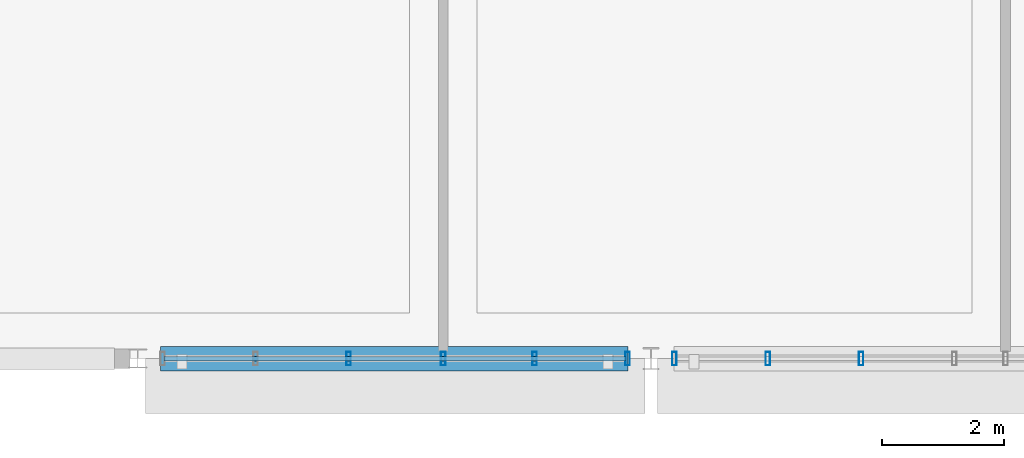
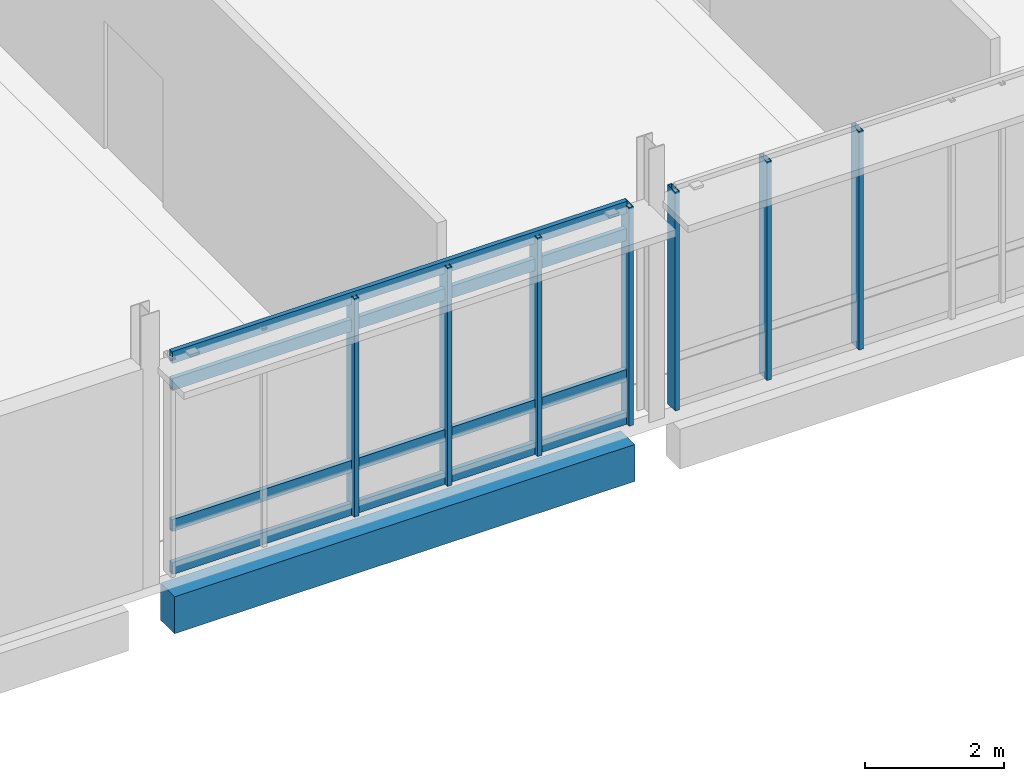
# One storey, part 19 of 95: 11 members, 1 beam, 2 elements without a shape of their own.
"""IFC4 building model written with IfcOpenShell, lengths in metres."""

from ifc_helpers import new_model, si_unit, direction, frame, origin, origin_2d, place, context, subcontext, project, spatial, rectangle, hollow_rectangle, extrude, material, layer, layer_set, material_profile, profile_set, type_object, element, aggregate, save


model = new_model("IFC4")

# Units and contexts
model_context = context("Model", 3, precision=1e-05, world=origin(), true_north=direction((0.0, 1.0)))
body_context = subcontext(model_context, "Body", "Model", "MODEL_VIEW")
ifc_project = project(units=[si_unit("LENGTHUNIT", "METRE"), si_unit("AREAUNIT", "SQUARE_METRE"), si_unit("VOLUMEUNIT", "CUBIC_METRE"), si_unit("PLANEANGLEUNIT", "RADIAN"), si_unit("MASSUNIT", "GRAM", prefix="KILO")], contexts=[model_context])

# Site, building, storey
site_placement = place(None, origin())
site = spatial("IfcSite", under=ifc_project, at=site_placement, CompositionType="ELEMENT")
building_placement = place(site_placement, origin())
building = spatial("IfcBuilding", under=site, at=building_placement, Name="Vireocrest Preparatory School", CompositionType="ELEMENT")
storey_placement = place(building_placement, origin())
storey = spatial("IfcBuildingStorey", under=building, at=storey_placement, Name="L00", CompositionType="ELEMENT", Elevation=0.0)

# Curtain wall, members
ifc_material_1 = material(Name="Thermally broken aluminium EN AW-6063-T6", Category="aluminium")
ifc_layer = layer(ifc_material_1, 0.179931640625)
ifc_layer_set = layer_set([ifc_layer], Name="Thermally broken aluminium EN AW-6063-T6")
curtain_wall_type = type_object("IfcCurtainWallType", Name="Dining Garden Storefront 8400x4400", PredefinedType="USERDEFINED", material=ifc_layer_set)
curtain_wall_1_placement = place(storey_placement, origin())
curtain_wall_1 = element("IfcCurtainWall", 1, at=curtain_wall_1_placement, inside=storey, type_object=curtain_wall_type, Name="Curtain Wall CW10 CW_L00_CW10_0843_0000_000", ObjectType="CURTAIN WALL", PredefinedType="USERDEFINED")
ifc_material_profile_1 = material_profile(ifc_material_1, hollow_rectangle(XDim=0.074951171875, YDim=0.22509765625, WallThickness=0.0048828125, at=origin_2d()), Name="ALU 75x225x5")
ifc_profile_set_1 = profile_set([ifc_material_profile_1], Name="Thermally broken aluminium EN AW-6063-T6")
member_type_1 = type_object("IfcMemberType", Name="CW Mullion 75x225x5", PredefinedType="MULLION", material=ifc_profile_set_1)
member_1_placement = place(storey_placement, frame((87.451416015625, 0.0, 0.0), z_axis=(0.0, 0.0, 1.0), x_axis=(1.0, 0.0, 0.0)))
member_1 = element("IfcMember", 2, at=member_1_placement, type_object=member_type_1, Name="CW Mullion ML4 CW_L00_CW10_0843_0000_000-3", PredefinedType="MULLION", context=body_context, shape_type="SweptSolid", body=[
    extrude(hollow_rectangle(XDim=0.074951171875, YDim=0.22509765625, WallThickness=0.0048828125, at=origin_2d()), origin(), (0.0, 0.0, 1.0), 3.842041015625),
])
member_2_placement = place(storey_placement, frame((89.0, 0.0, 0.0), z_axis=(0.0, 0.0, 1.0), x_axis=(1.0, 0.0, 0.0)))
member_2 = element("IfcMember", 3, at=member_2_placement, type_object=member_type_1, Name="CW Mullion ML4 CW_L00_CW10_0843_0000_000-4", PredefinedType="MULLION", context=body_context, shape_type="SweptSolid", body=[
    extrude(hollow_rectangle(XDim=0.074951171875, YDim=0.22509765625, WallThickness=0.0048828125, at=origin_2d()), origin(), (0.0, 0.0, 1.0), 3.842041015625),
])
member_3_placement = place(storey_placement, frame((90.4951171875, 0.0, 0.0), z_axis=(0.0, 0.0, 1.0), x_axis=(1.0, 0.0, 0.0)))
member_3 = element("IfcMember", 4, at=member_3_placement, type_object=member_type_1, Name="CW Mullion ML4 CW_L00_CW10_0843_0000_000-5", PredefinedType="MULLION", context=body_context, shape_type="SweptSolid", body=[
    extrude(hollow_rectangle(XDim=0.074951171875, YDim=0.22509765625, WallThickness=0.0048828125, at=origin_2d()), origin(), (0.0, 0.0, 1.0), 3.842041015625),
])
member_4_placement = place(storey_placement, frame((92.01708984375, 0.0, 0.0), z_axis=(0.0, 0.0, 1.0), x_axis=(1.0, 0.0, 0.0)))
member_4 = element("IfcMember", 5, at=member_4_placement, type_object=member_type_1, Name="CW Mullion ML4 CW_L00_CW10_0843_0000_000-6", PredefinedType="MULLION", context=body_context, shape_type="SweptSolid", body=[
    extrude(hollow_rectangle(XDim=0.074951171875, YDim=0.22509765625, WallThickness=0.0048828125, at=origin_2d()), origin(), (0.0, 0.0, 1.0), 3.842041015625),
])

curtain_wall_2_placement = place(storey_placement, origin())
curtain_wall_2 = element("IfcCurtainWall", 6, at=curtain_wall_2_placement, inside=storey, type_object=curtain_wall_type, Name="Curtain Wall CW10 CW_L00_CW10_0927_0000_000", ObjectType="CURTAIN WALL", PredefinedType="USERDEFINED")
member_5_placement = place(storey_placement, frame((92.782958984375, 0.0, 0.0), z_axis=(0.0, 0.0, 1.0), x_axis=(1.0, 0.0, 0.0)))
member_5 = element("IfcMember", 7, at=member_5_placement, type_object=member_type_1, Name="CW Mullion ML4 CW_L00_CW10_0927_0000_000-1", PredefinedType="MULLION", context=body_context, shape_type="SweptSolid", body=[
    extrude(hollow_rectangle(XDim=0.074951171875, YDim=0.22509765625, WallThickness=0.0048828125, at=origin_2d()), origin(), (0.0, 0.0, 1.0), 3.842041015625),
])
member_6_placement = place(storey_placement, frame((94.309814453125, 0.0, 0.0), z_axis=(0.0, 0.0, 1.0), x_axis=(1.0, 0.0, 0.0)))
member_6 = element("IfcMember", 8, at=member_6_placement, type_object=member_type_1, Name="CW Mullion ML4 CW_L00_CW10_0927_0000_000-2", PredefinedType="MULLION", context=body_context, shape_type="SweptSolid", body=[
    extrude(hollow_rectangle(XDim=0.074951171875, YDim=0.22509765625, WallThickness=0.0048828125, at=origin_2d()), origin(), (0.0, 0.0, 1.0), 3.842041015625),
])
member_7_placement = place(storey_placement, frame((95.836669921875, 0.0, 0.0), z_axis=(0.0, 0.0, 1.0), x_axis=(1.0, 0.0, 0.0)))
member_7 = element("IfcMember", 9, at=member_7_placement, type_object=member_type_1, Name="CW Mullion ML4 CW_L00_CW10_0927_0000_000-3", PredefinedType="MULLION", context=body_context, shape_type="SweptSolid", body=[
    extrude(hollow_rectangle(XDim=0.074951171875, YDim=0.22509765625, WallThickness=0.0048828125, at=origin_2d()), origin(), (0.0, 0.0, 1.0), 3.842041015625),
])
aggregate(curtain_wall_2, [member_5, member_6, member_7])

# Member
ifc_material_profile_2 = material_profile(ifc_material_1, hollow_rectangle(XDim=0.074951171875, YDim=0.2099609375, WallThickness=0.0048828125, at=origin_2d()), Name="ALU 75x210x5")
ifc_profile_set_2 = profile_set([ifc_material_profile_2], Name="Thermally broken aluminium EN AW-6063-T6")
member_type_2 = type_object("IfcMemberType", Name="CW Transom 75x210x5", PredefinedType="USERDEFINED", material=ifc_profile_set_2)
member_8_placement = place(storey_placement, frame((84.4326171875, 0.0, 0.094970703125), z_axis=(1.0, 0.0, 0.0), x_axis=(0.0, 1.0, 0.0)))
member_8 = element("IfcMember", 10, at=member_8_placement, type_object=member_type_2, Name="CW Transom TR4 CW_L00_CW10_0843_0000_000-1", ObjectType="TRANSOM", PredefinedType="USERDEFINED", context=body_context, shape_type="SweptSolid", body=[
    extrude(hollow_rectangle(XDim=0.074951171875, YDim=0.2099609375, WallThickness=0.0048828125, at=origin_2d()), origin(), (0.0, 0.0, 1.0), 7.559326171875),
])

member_9_placement = place(storey_placement, frame((84.4326171875, 0.0, 0.85009765625), z_axis=(1.0, 0.0, 0.0), x_axis=(0.0, 1.0, 0.0)))
member_9 = element("IfcMember", 11, at=member_9_placement, type_object=member_type_2, Name="CW Transom TR4 CW_L00_CW10_0843_0000_000-2", ObjectType="TRANSOM", PredefinedType="USERDEFINED", context=body_context, shape_type="SweptSolid", body=[
    extrude(hollow_rectangle(XDim=0.074951171875, YDim=0.2099609375, WallThickness=0.0048828125, at=origin_2d()), origin(), (0.0, 0.0, 1.0), 7.559326171875),
])

member_10_placement = place(storey_placement, frame((84.4326171875, 0.0, 3.326904296875), z_axis=(1.0, 0.0, 0.0), x_axis=(0.0, 1.0, 0.0)))
member_10 = element("IfcMember", 12, at=member_10_placement, type_object=member_type_2, Name="CW Transom TR4 CW_L00_CW10_0843_0000_000-3", ObjectType="TRANSOM", PredefinedType="USERDEFINED", context=body_context, shape_type="SweptSolid", body=[
    extrude(hollow_rectangle(XDim=0.074951171875, YDim=0.2099609375, WallThickness=0.0048828125, at=origin_2d()), origin(), (0.0, 0.0, 1.0), 7.559326171875),
])

member_11_placement = place(storey_placement, frame((84.4326171875, 0.0, 3.802001953125), z_axis=(1.0, 0.0, 0.0), x_axis=(0.0, 1.0, 0.0)))
member_11 = element("IfcMember", 13, at=member_11_placement, type_object=member_type_2, Name="CW Transom TR4 CW_L00_CW10_0843_0000_000-4", ObjectType="TRANSOM", PredefinedType="USERDEFINED", context=body_context, shape_type="SweptSolid", body=[
    extrude(hollow_rectangle(XDim=0.074951171875, YDim=0.2099609375, WallThickness=0.0048828125, at=origin_2d()), origin(), (0.0, 0.0, 1.0), 7.559326171875),
])

aggregate(curtain_wall_1, [member_1, member_2, member_3, member_4, member_8, member_9, member_10, member_11])

# Beam
ifc_material_2 = material(Name="Concrete 40 MPa", Category="concrete")
ifc_material_profile_3 = material_profile(ifc_material_2, rectangle(XDim=0.39990234375, YDim=0.64990234375, at=origin_2d()), Name="RC 400x650")
ifc_profile_set_3 = profile_set([ifc_material_profile_3], Name="Concrete 40 MPa")
beam_type = type_object("IfcBeamType", Name="RC Laboratory Girder 400x650", PredefinedType="BEAM", material=ifc_profile_set_3)
beam_placement = place(storey_placement, frame((84.375, 0.0, -0.60498046875), z_axis=(1.0, 0.0, 0.0), x_axis=(0.0, 1.0, 0.0)))
element("IfcBeam", 14, at=beam_placement, inside=storey, type_object=beam_type, Name="Primary Girder B07 L00-0005", PredefinedType="BEAM", context=body_context, shape_type="SweptSolid", body=[
    extrude(rectangle(XDim=0.39990234375, YDim=0.64990234375, at=origin_2d()), origin(), (0.0, 0.0, 1.0), 7.64990234375),
])

save(model, "model.ifc")
